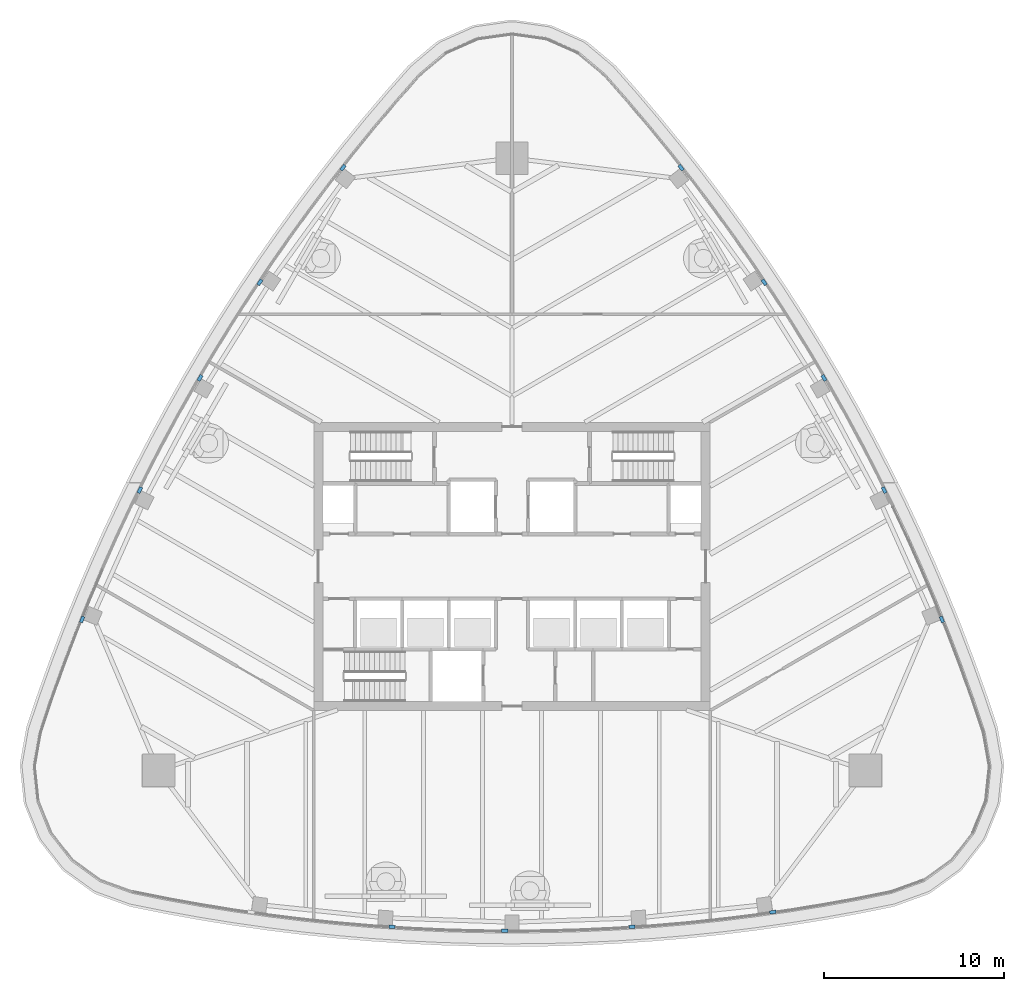
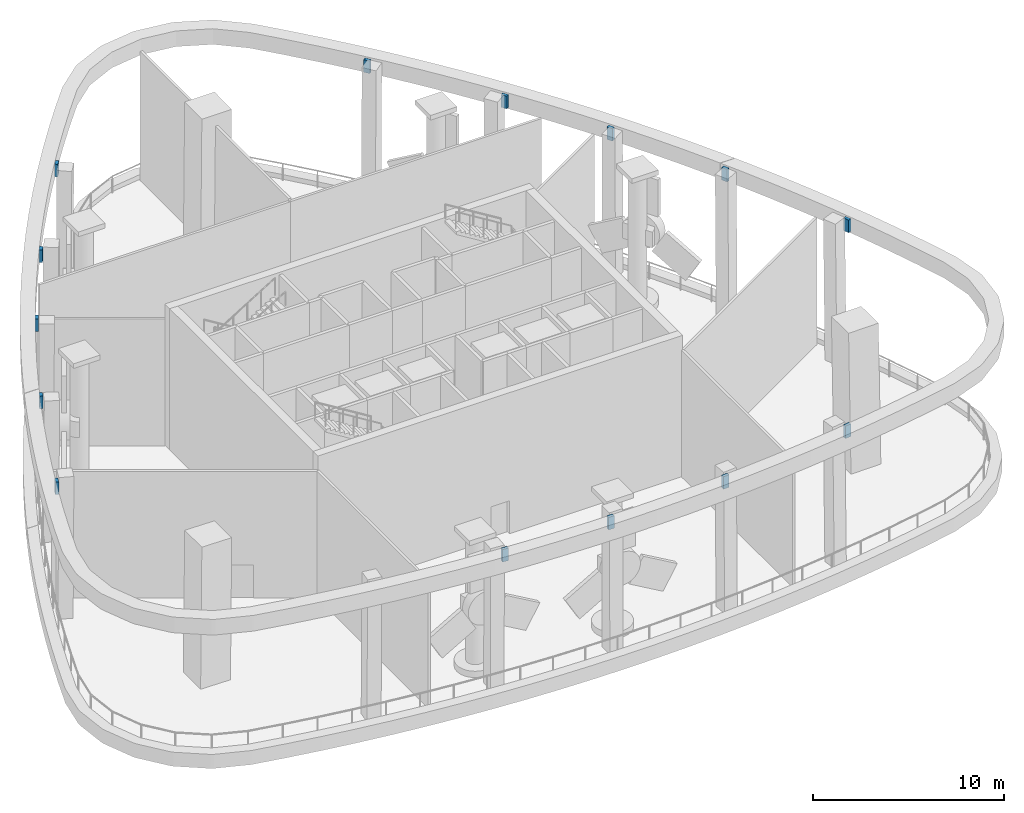
# One storey, part 6 of 12: 14 discrete accessories.
"""IFC4 building model written with IfcOpenShell, lengths in metres."""

import ifcopenshell
import ifcopenshell.guid

model = None  # the IFC model being written
_history = None  # IfcOwnerHistory: only IFC2X3 demands one
_inside = {}  # id of a spatial element -> (the spatial element, [elements in it])
_under = {}  # id of a project, library or spatial element -> (it, [spatial elements below it])
_declared = {}  # id of a project -> (the project, [libraries it declares])
_typed = {}  # id of a type object -> (the type object, [elements of that type])
_made_of = {}  # id of a material, layer set ... -> (it, [elements and type objects made of it])


def new_model(schema):
    """Start an empty IFC model of exactly this schema.

    Asked for "IFC4X3", IfcOpenShell would pick the latest addendum, in which some entities
    have other attributes; the version numbers below select the first issue.
    IFC2X3 requires an IfcOwnerHistory on every rooted entity: one is made here for all.
    """
    global model, _history
    if schema == "IFC4X3":
        model = ifcopenshell.file(schema_version=(4, 3, 0, 0))
    else:
        model = ifcopenshell.file(schema=schema)
    _inside.clear()
    _under.clear()
    _declared.clear()
    _typed.clear()
    _made_of.clear()
    _history = None
    if model.schema == "IFC2X3":
        org = make("IfcOrganization", Name="unknown")
        user = make(
            "IfcPersonAndOrganization",
            ThePerson=make("IfcPerson", FamilyName="unknown"),
            TheOrganization=org,
        )
        app = make(
            "IfcApplication",
            ApplicationDeveloper=org,
            Version="unknown",
            ApplicationFullName="unknown",
            ApplicationIdentifier="unknown",
        )
        _history = make(
            "IfcOwnerHistory",
            OwningUser=user,
            OwningApplication=app,
            ChangeAction="ADDED",
            CreationDate=0,
        )
    return model


def make(cls, **values):
    """One entity of the class cls with the attributes given. An attribute that is None is left unset."""
    return model.create_entity(
        cls, **{name: value for name, value in values.items() if value is not None}
    )


def rooted(cls, **values):
    """An entity with a GlobalId (a new one), such as an element, a storey or a relation."""
    return make(cls, GlobalId=ifcopenshell.guid.new(), OwnerHistory=_history, **values)


def si_unit(unit_type, name, prefix=None):
    """IfcSIUnit, for example si_unit("LENGTHUNIT", "METRE", prefix="MILLI")."""
    return make("IfcSIUnit", UnitType=unit_type, Prefix=prefix, Name=name)


def assignment(units):
    """IfcUnitAssignment: the units of a project."""
    return None if units is None else make("IfcUnitAssignment", Units=units)


def point(xyz):
    """IfcCartesianPoint."""
    return None if xyz is None else make("IfcCartesianPoint", Coordinates=xyz)


def direction(xyz):
    """IfcDirection."""
    return None if xyz is None else make("IfcDirection", DirectionRatios=xyz)


def frame(location, z_axis=None, x_axis=None):
    """IfcAxis2Placement3D, a coordinate frame: its origin and axes. An axis left out is left unset."""
    return make(
        "IfcAxis2Placement3D",
        Location=point(location),
        Axis=direction(z_axis),
        RefDirection=direction(x_axis),
    )


def origin():
    """The frame at (0, 0, 0) with its axes left unset."""
    return frame((0.0, 0.0, 0.0))


def place(relative_to, where):
    """IfcLocalPlacement: puts the frame where relative to a parent placement (None: the world)."""
    return make(
        "IfcLocalPlacement", PlacementRelTo=relative_to, RelativePlacement=where
    )


def context(
    kind, dimensions, precision=None, world=None, true_north=None, identifier=None
):
    """IfcGeometricRepresentationContext, for example the 3D "Model" context."""
    return make(
        "IfcGeometricRepresentationContext",
        ContextIdentifier=identifier,
        ContextType=kind,
        CoordinateSpaceDimension=dimensions,
        Precision=precision,
        WorldCoordinateSystem=world,
        TrueNorth=true_north,
    )


def subcontext(parent, identifier, kind, view, scale=None):
    """IfcGeometricRepresentationSubContext, for example "Body" below "Model"."""
    return make(
        "IfcGeometricRepresentationSubContext",
        ContextIdentifier=identifier,
        ContextType=kind,
        ParentContext=parent,
        TargetScale=scale,
        TargetView=view,
    )


def project(units=None, contexts=None):
    """IfcProject with its units and contexts."""
    return rooted(
        "IfcProject",
        Name="project",
        RepresentationContexts=contexts,
        UnitsInContext=assignment(units),
    )


def spatial(cls, under=None, at=None, **own):
    """A site, building, storey or space (cls), placed at a placement, below another one or the project."""
    s = rooted(cls, ObjectPlacement=at, **own)
    if under is not None:
        _under.setdefault(under.id(), (under, []))[1].append(s)
    return s


def polyline(points):
    """IfcPolyline through the points."""
    return make("IfcPolyline", Points=[point(p) for p in points])


def outline(outer, holes=None, kind="AREA"):
    """IfcArbitraryClosedProfileDef: a profile drawn as a closed curve; with holes, ...WithVoids."""
    if holes is None:
        return make("IfcArbitraryClosedProfileDef", ProfileType=kind, OuterCurve=outer)
    return make(
        "IfcArbitraryProfileDefWithVoids",
        ProfileType=kind,
        OuterCurve=outer,
        InnerCurves=holes,
    )


def extrude(swept, where, along, depth):
    """IfcExtrudedAreaSolid: the profile swept, set in the frame where, extruded along a direction by depth."""
    return make(
        "IfcExtrudedAreaSolid",
        SweptArea=swept,
        Position=where,
        ExtrudedDirection=direction(along),
        Depth=depth,
    )


def shape(context_of_items, identifier, shape_type, items):
    """IfcShapeRepresentation: the items that make up one representation, for example the "Body"."""
    return make(
        "IfcShapeRepresentation",
        ContextOfItems=context_of_items,
        RepresentationIdentifier=identifier,
        RepresentationType=shape_type,
        Items=items,
    )


def material(Name=None, Category=None):
    """IfcMaterial."""
    return make("IfcMaterial", Name=Name, Category=Category)


def made_of(thing, what):
    """Note that an element or type object is made of a material, layer set ...; save() writes the relation."""
    if what is not None:
        _made_of.setdefault(what.id(), (what, []))[1].append(thing)
    return thing


def type_object(cls, material=None, **own):
    """A type object (cls), such as IfcWallType, which elements share."""
    return made_of(rooted(cls, **own), material)


def element(
    cls,
    number,
    at=None,
    inside=None,
    cuts=None,
    type_object=None,
    material=None,
    context=None,
    identifier="Body",
    shape_type=None,
    held_by="IfcProductDefinitionShape",
    body=None,
    shapes=None,
    **own,
):
    """One element of the class cls, such as IfcWall. Its Tag is "e" and its number.

    at: its placement. inside: the storey or other place that contains it. cuts: it is an
    opening in that element (IfcRelVoidsElement). A single representation is given by context,
    identifier, shape_type and body (its items); several are given by shapes. held_by: the class
    of the entity that holds the representations. save() writes the other relations.
    """
    e = rooted(cls, Tag="e%d" % number, ObjectPlacement=at, **own)
    if body is not None:
        shapes = [shape(context, identifier, shape_type, body)]
    if shapes is not None:
        e.Representation = make(held_by, Representations=shapes)
    if inside is not None:
        _inside.setdefault(inside.id(), (inside, []))[1].append(e)
    if cuts is not None:
        rooted(
            "IfcRelVoidsElement", RelatingBuildingElement=cuts, RelatedOpeningElement=e
        )
    if type_object is not None:
        _typed.setdefault(type_object.id(), (type_object, []))[1].append(e)
    return made_of(e, material)


def aggregate(whole, parts):
    """IfcRelAggregates: a whole, such as a stair, and the parts it consists of."""
    return rooted("IfcRelAggregates", RelatingObject=whole, RelatedObjects=parts)


def save(model, path):
    """Write the relations noted so far, then the file.

    IfcRelAggregates (storeys below a building ...), IfcRelContainedInSpatialStructure (elements
    in a storey), IfcRelDefinesByType, IfcRelAssociatesMaterial and IfcRelDeclares: one each for
    every whole, place, type object, material and project.
    """
    for whole, parts in _under.values():
        aggregate(whole, parts)
    for where, things in _inside.values():
        rooted(
            "IfcRelContainedInSpatialStructure",
            RelatedElements=things,
            RelatingStructure=where,
        )
    for kind, things in _typed.values():
        rooted("IfcRelDefinesByType", RelatedObjects=things, RelatingType=kind)
    for what, things in _made_of.values():
        rooted("IfcRelAssociatesMaterial", RelatedObjects=things, RelatingMaterial=what)
    for by, libraries in _declared.values():
        rooted("IfcRelDeclares", RelatingContext=by, RelatedDefinitions=libraries)
    model.write(path)


model = new_model("IFC4")

# Units and contexts
model_context = context("Model", 3, precision=1e-05, world=origin(), true_north=direction((0.0, 1.0)))
body_context = subcontext(model_context, "Body", "Model", "MODEL_VIEW")
ifc_project = project(units=[si_unit("LENGTHUNIT", "METRE"), si_unit("AREAUNIT", "SQUARE_METRE"), si_unit("VOLUMEUNIT", "CUBIC_METRE"), si_unit("PLANEANGLEUNIT", "RADIAN"), si_unit("MASSUNIT", "GRAM", prefix="KILO")], contexts=[model_context])

# Site, building, storey
site_placement = place(None, origin())
site = spatial("IfcSite", under=ifc_project, at=site_placement, CompositionType="ELEMENT")
building_placement = place(site_placement, origin())
building = spatial("IfcBuilding", under=site, at=building_placement, Name="Sierra Prisma Convention Tower", CompositionType="ELEMENT")
storey_placement = place(building_placement, frame((0.0, 0.0, 330.39990234375)))
storey = spatial("IfcBuildingStorey", under=building, at=storey_placement, Name="L75", CompositionType="ELEMENT", Elevation=330.39990234375)

# Discrete accessories
ifc_material = material(Name="Steel S355J2 EN 10025-2", Category="steel")
discrete_accessory_type = type_object("IfcDiscreteAccessoryType", Name="Header hanger", PredefinedType="USERDEFINED", material=ifc_material)
discrete_accessory_1_placement = place(storey_placement, frame((0.0, 0.0, 8.10009765625)))
element("IfcDiscreteAccessory", 1, at=discrete_accessory_1_placement, inside=storey, type_object=discrete_accessory_type, Name="Header hanger 2", ObjectType="HEADER HANGER", PredefinedType="USERDEFINED", context=body_context, shape_type="SweptSolid", body=[
    extrude(outline(polyline([(-6.82568359375, -19.897705078125), (-6.838134765625, -20.085205078125), (-6.489013671875, -20.1083984375), (-6.4765625, -19.9208984375), (-6.82568359375, -19.897705078125)])), origin(), (0.0, 0.0, 1.0), 0.800048828125),
])
discrete_accessory_2_placement = place(storey_placement, frame((0.0, 0.0, 8.10009765625)))
element("IfcDiscreteAccessory", 2, at=discrete_accessory_2_placement, inside=storey, type_object=discrete_accessory_type, Name="Header hanger 3", ObjectType="HEADER HANGER", PredefinedType="USERDEFINED", context=body_context, shape_type="SweptSolid", body=[
    extrude(outline(polyline([(-0.57470703125, -20.1240234375), (-0.57666015625, -20.314697265625), (-0.2265625, -20.31787109375), (-0.224853515625, -20.12744140625), (-0.57470703125, -20.1240234375)])), origin(), (0.0, 0.0, 1.0), 0.800048828125),
])
discrete_accessory_3_placement = place(storey_placement, frame((0.0, 0.0, 8.10009765625)))
element("IfcDiscreteAccessory", 3, at=discrete_accessory_3_placement, inside=storey, type_object=discrete_accessory_type, Name="Header hanger 4", ObjectType="HEADER HANGER", PredefinedType="USERDEFINED", context=body_context, shape_type="SweptSolid", body=[
    extrude(outline(polyline([(6.4765625, -19.9208984375), (6.489013671875, -20.1083984375), (6.838134765625, -20.085205078125), (6.82568359375, -19.897705078125), (6.4765625, -19.9208984375)])), origin(), (0.0, 0.0, 1.0), 0.800048828125),
])
discrete_accessory_4_placement = place(storey_placement, frame((0.0, 0.0, 8.10009765625)))
element("IfcDiscreteAccessory", 4, at=discrete_accessory_4_placement, inside=storey, type_object=discrete_accessory_type, Name="Header hanger 5", ObjectType="HEADER HANGER", PredefinedType="USERDEFINED", context=body_context, shape_type="SweptSolid", body=[
    extrude(outline(polyline([(14.28955078125, -19.120361328125), (14.3154296875, -19.302490234375), (14.661865234375, -19.2529296875), (14.635986328125, -19.071044921875), (14.28955078125, -19.120361328125)])), origin(), (0.0, 0.0, 1.0), 0.800048828125),
])
discrete_accessory_5_placement = place(storey_placement, frame((0.0, 0.0, 8.10009765625)))
element("IfcDiscreteAccessory", 5, at=discrete_accessory_5_placement, inside=storey, type_object=discrete_accessory_type, Name="Header hanger 6", ObjectType="HEADER HANGER", PredefinedType="USERDEFINED", context=body_context, shape_type="SweptSolid", body=[
    extrude(outline(polyline([(23.833984375, -3.1396484375), (24.00439453125, -3.071044921875), (23.8740234375, -2.746337890625), (23.70361328125, -2.81494140625), (23.833984375, -3.1396484375)])), origin(), (0.0, 0.0, 1.0), 0.800048828125),
])
discrete_accessory_6_placement = place(storey_placement, frame((0.0, 0.0, 8.10009765625)))
element("IfcDiscreteAccessory", 6, at=discrete_accessory_6_placement, inside=storey, type_object=discrete_accessory_type, Name="Header hanger 7", ObjectType="HEADER HANGER", PredefinedType="USERDEFINED", context=body_context, shape_type="SweptSolid", body=[
    extrude(outline(polyline([(20.64501953125, 4.03759765625), (20.8134765625, 4.12060546875), (20.658935546875, 4.4345703125), (20.490234375, 4.3515625), (20.64501953125, 4.03759765625)])), origin(), (0.0, 0.0, 1.0), 0.800048828125),
])
discrete_accessory_7_placement = place(storey_placement, frame((0.0, 0.0, 8.10009765625)))
element("IfcDiscreteAccessory", 7, at=discrete_accessory_7_placement, inside=storey, type_object=discrete_accessory_type, Name="Header hanger 8", ObjectType="HEADER HANGER", PredefinedType="USERDEFINED", context=body_context, shape_type="SweptSolid", body=[
    extrude(outline(polyline([(17.318359375, 10.25830078125), (17.482421875, 10.355224609375), (17.3046875, 10.65673828125), (17.140625, 10.559814453125), (17.318359375, 10.25830078125)])), origin(), (0.0, 0.0, 1.0), 0.800048828125),
])
discrete_accessory_8_placement = place(storey_placement, frame((0.0, 0.0, 8.10009765625)))
element("IfcDiscreteAccessory", 8, at=discrete_accessory_8_placement, inside=storey, type_object=discrete_accessory_type, Name="Header hanger 9", ObjectType="HEADER HANGER", PredefinedType="USERDEFINED", context=body_context, shape_type="SweptSolid", body=[
    extrude(outline(polyline([(14.013671875, 15.5693359375), (14.169921875, 15.673828125), (13.97509765625, 15.964599609375), (13.819091796875, 15.860107421875), (14.013671875, 15.5693359375)])), origin(), (0.0, 0.0, 1.0), 0.800048828125),
])
discrete_accessory_9_placement = place(storey_placement, frame((0.0, 0.0, 8.10009765625)))
element("IfcDiscreteAccessory", 9, at=discrete_accessory_9_placement, inside=storey, type_object=discrete_accessory_type, Name="Header hanger 10", ObjectType="HEADER HANGER", PredefinedType="USERDEFINED", context=body_context, shape_type="SweptSolid", body=[
    extrude(outline(polyline([(9.4140625, 21.935302734375), (9.55859375, 22.048583984375), (9.342529296875, 22.32421875), (9.197998046875, 22.210693359375), (9.4140625, 21.935302734375)])), origin(), (0.0, 0.0, 1.0), 0.800048828125),
])
discrete_accessory_10_placement = place(storey_placement, frame((0.0, 0.0, 8.10009765625)))
element("IfcDiscreteAccessory", 10, at=discrete_accessory_10_placement, inside=storey, type_object=discrete_accessory_type, Name="Header hanger 11", ObjectType="HEADER HANGER", PredefinedType="USERDEFINED", context=body_context, shape_type="SweptSolid", body=[
    extrude(outline(polyline([(-9.197998046875, 22.210693359375), (-9.342529296875, 22.32421875), (-9.55859375, 22.048583984375), (-9.4140625, 21.935302734375), (-9.197998046875, 22.210693359375)])), origin(), (0.0, 0.0, 1.0), 0.800048828125),
])
discrete_accessory_11_placement = place(storey_placement, frame((0.0, 0.0, 8.10009765625)))
element("IfcDiscreteAccessory", 11, at=discrete_accessory_11_placement, inside=storey, type_object=discrete_accessory_type, Name="Header hanger 12", ObjectType="HEADER HANGER", PredefinedType="USERDEFINED", context=body_context, shape_type="SweptSolid", body=[
    extrude(outline(polyline([(-13.819091796875, 15.860107421875), (-13.97509765625, 15.964599609375), (-14.169921875, 15.673828125), (-14.013671875, 15.5693359375), (-13.819091796875, 15.860107421875)])), origin(), (0.0, 0.0, 1.0), 0.800048828125),
])
discrete_accessory_12_placement = place(storey_placement, frame((0.0, 0.0, 8.10009765625)))
element("IfcDiscreteAccessory", 12, at=discrete_accessory_12_placement, inside=storey, type_object=discrete_accessory_type, Name="Header hanger 13", ObjectType="HEADER HANGER", PredefinedType="USERDEFINED", context=body_context, shape_type="SweptSolid", body=[
    extrude(outline(polyline([(-17.140625, 10.559814453125), (-17.3046875, 10.65673828125), (-17.482421875, 10.355224609375), (-17.318359375, 10.25830078125), (-17.140625, 10.559814453125)])), origin(), (0.0, 0.0, 1.0), 0.800048828125),
])
discrete_accessory_13_placement = place(storey_placement, frame((0.0, 0.0, 8.10009765625)))
element("IfcDiscreteAccessory", 13, at=discrete_accessory_13_placement, inside=storey, type_object=discrete_accessory_type, Name="Header hanger 14", ObjectType="HEADER HANGER", PredefinedType="USERDEFINED", context=body_context, shape_type="SweptSolid", body=[
    extrude(outline(polyline([(-20.490234375, 4.3515625), (-20.658935546875, 4.4345703125), (-20.8134765625, 4.12060546875), (-20.64501953125, 4.03759765625), (-20.490234375, 4.3515625)])), origin(), (0.0, 0.0, 1.0), 0.800048828125),
])
discrete_accessory_14_placement = place(storey_placement, frame((0.0, 0.0, 8.10009765625)))
element("IfcDiscreteAccessory", 14, at=discrete_accessory_14_placement, inside=storey, type_object=discrete_accessory_type, Name="Header hanger 15", ObjectType="HEADER HANGER", PredefinedType="USERDEFINED", context=body_context, shape_type="SweptSolid", body=[
    extrude(outline(polyline([(-23.70361328125, -2.81494140625), (-23.8740234375, -2.746337890625), (-24.00439453125, -3.071044921875), (-23.833984375, -3.1396484375), (-23.70361328125, -2.81494140625)])), origin(), (0.0, 0.0, 1.0), 0.800048828125),
])

save(model, "model.ifc")
